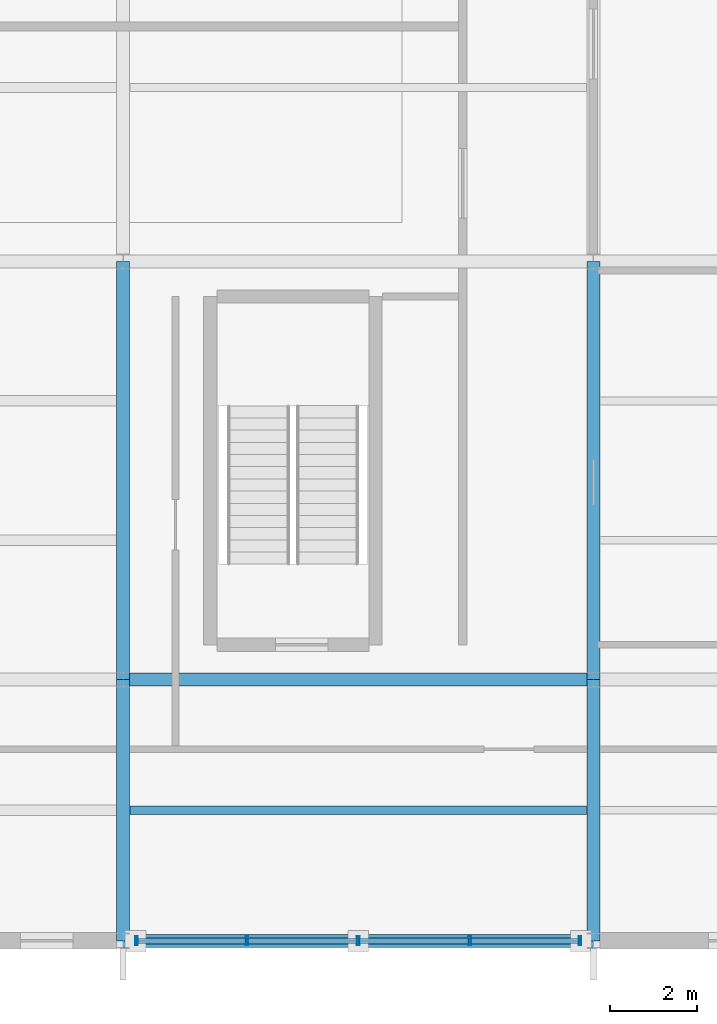
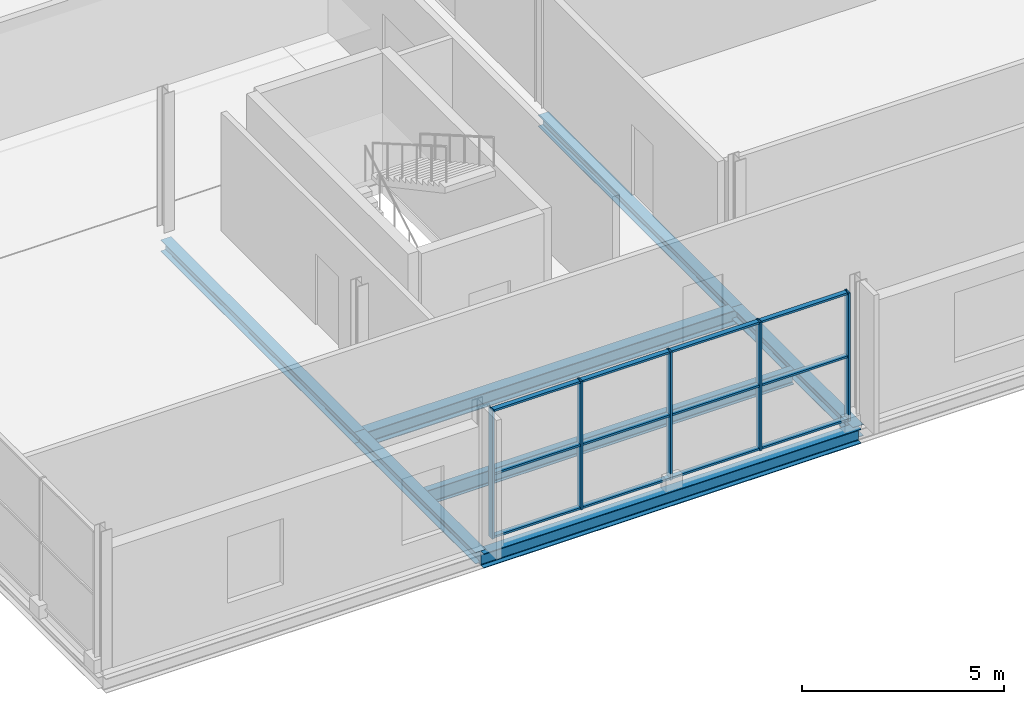
# One storey, part 77 of 117: 17 members, 7 beams, 1 element without a shape of its own.
"""IFC4 building model written with IfcOpenShell, lengths in metres."""

from ifc_helpers import new_model, si_unit, direction, frame, origin, origin_2d, place, context, subcontext, project, spatial, hollow_rectangle, i_section, extrude, material, material_profile, profile_set, type_object, element, aggregate, save


model = new_model("IFC4")

# Units and contexts
model_context = context("Model", 3, precision=1e-05, world=origin(), true_north=direction((0.0, 1.0)))
body_context = subcontext(model_context, "Body", "Model", "MODEL_VIEW")
ifc_project = project(units=[si_unit("LENGTHUNIT", "METRE"), si_unit("AREAUNIT", "SQUARE_METRE"), si_unit("VOLUMEUNIT", "CUBIC_METRE"), si_unit("PLANEANGLEUNIT", "RADIAN"), si_unit("MASSUNIT", "GRAM", prefix="KILO")], contexts=[model_context])

# Site, building, storey
site_placement = place(None, origin())
site = spatial("IfcSite", under=ifc_project, at=site_placement, CompositionType="ELEMENT")
building_placement = place(site_placement, origin())
building = spatial("IfcBuilding", under=site, at=building_placement, Name="Merenkruunu Market Hall", CompositionType="ELEMENT")
storey_placement = place(building_placement, frame((0.0, 0.0, 10.199951171875)))
storey = spatial("IfcBuildingStorey", under=building, at=storey_placement, Name="L02", CompositionType="ELEMENT", Elevation=10.199951171875)

# Curtain wall, members
ifc_material_1 = material(Name="Powder-coated aluminium", Category="aluminium")
curtain_wall_type = type_object("IfcCurtainWallType", Name="Glazed Curtain Wall CW07", PredefinedType="USERDEFINED", material=ifc_material_1)
curtain_wall_placement = place(storey_placement, origin())
curtain_wall = element("IfcCurtainWall", 1, at=curtain_wall_placement, inside=storey, type_object=curtain_wall_type, Name="CW-L02-CWM03-215", ObjectType="GLAZED_FACADE", PredefinedType="USERDEFINED")
ifc_material_profile_1 = material_profile(ifc_material_1, hollow_rectangle(XDim=0.06005859375, YDim=0.199951171875, WallThickness=0.0048828125, at=origin_2d()), Name="ALU 60x200x5")
ifc_profile_set_1 = profile_set([ifc_material_profile_1], Name="Powder-coated aluminium")
member_type_1 = type_object("IfcMemberType", Name="Curtain Wall Mullion CWM03", PredefinedType="MULLION", material=ifc_profile_set_1)
member_1_placement = place(storey_placement, frame((170.090087890625, 0.0, 0.0), z_axis=(0.0, 0.0, 1.0), x_axis=(-1.0, 0.0, 0.0)))
member_1 = element("IfcMember", 2, at=member_1_placement, type_object=member_type_1, Name="CW07 mullion 1", PredefinedType="MULLION", context=body_context, shape_type="SweptSolid", body=[
    extrude(hollow_rectangle(XDim=0.06005859375, YDim=0.199951171875, WallThickness=0.0048828125, at=origin_2d()), origin(), (0.0, 0.0, 1.0), 3.880126953125),
])
member_2_placement = place(storey_placement, frame((167.56005859375, 0.0, 0.0), z_axis=(0.0, 0.0, 1.0), x_axis=(-1.0, 0.0, 0.0)))
member_2 = element("IfcMember", 3, at=member_2_placement, type_object=member_type_1, Name="CW07 mullion 2", PredefinedType="MULLION", context=body_context, shape_type="SweptSolid", body=[
    extrude(hollow_rectangle(XDim=0.06005859375, YDim=0.199951171875, WallThickness=0.0048828125, at=origin_2d()), origin(), (0.0, 0.0, 1.0), 3.880126953125),
])
member_3_placement = place(storey_placement, frame((165.0, 0.0, 0.0), z_axis=(0.0, 0.0, 1.0), x_axis=(-1.0, 0.0, 0.0)))
member_3 = element("IfcMember", 4, at=member_3_placement, type_object=member_type_1, Name="CW07 mullion 3", PredefinedType="MULLION", context=body_context, shape_type="SweptSolid", body=[
    extrude(hollow_rectangle(XDim=0.06005859375, YDim=0.199951171875, WallThickness=0.0048828125, at=origin_2d()), origin(), (0.0, 0.0, 1.0), 3.880126953125),
])
member_4_placement = place(storey_placement, frame((162.43994140625, 0.0, 0.0), z_axis=(0.0, 0.0, 1.0), x_axis=(-1.0, 0.0, 0.0)))
member_4 = element("IfcMember", 5, at=member_4_placement, type_object=member_type_1, Name="CW07 mullion 4", PredefinedType="MULLION", context=body_context, shape_type="SweptSolid", body=[
    extrude(hollow_rectangle(XDim=0.06005859375, YDim=0.199951171875, WallThickness=0.0048828125, at=origin_2d()), origin(), (0.0, 0.0, 1.0), 3.880126953125),
])
member_5_placement = place(storey_placement, frame((159.909912109375, 0.0, 0.0), z_axis=(0.0, 0.0, 1.0), x_axis=(-1.0, 0.0, 0.0)))
member_5 = element("IfcMember", 6, at=member_5_placement, type_object=member_type_1, Name="CW07 mullion 5", PredefinedType="MULLION", context=body_context, shape_type="SweptSolid", body=[
    extrude(hollow_rectangle(XDim=0.06005859375, YDim=0.199951171875, WallThickness=0.0048828125, at=origin_2d()), origin(), (0.0, 0.0, 1.0), 3.880126953125),
])
ifc_material_profile_2 = material_profile(ifc_material_1, hollow_rectangle(XDim=0.06005859375, YDim=0.139892578125, WallThickness=0.00390625, at=origin_2d()), Name="ALU 60x140x4")
ifc_profile_set_2 = profile_set([ifc_material_profile_2], Name="Powder-coated aluminium")
member_type_2 = type_object("IfcMemberType", Name="Curtain Wall Transom CWT02", PredefinedType="USERDEFINED", material=ifc_profile_set_2)
member_6_placement = place(storey_placement, frame((170.06005859375, 0.0, 0.030029296875), z_axis=(-1.0, 0.0, 0.0), x_axis=(0.0, 0.0, 1.0)))
member_6 = element("IfcMember", 7, at=member_6_placement, type_object=member_type_2, Name="CW07 transom 1.1", ObjectType="TRANSOM", PredefinedType="USERDEFINED", context=body_context, shape_type="SweptSolid", body=[
    extrude(hollow_rectangle(XDim=0.06005859375, YDim=0.139892578125, WallThickness=0.00390625, at=origin_2d()), origin(), (0.0, 0.0, 1.0), 2.469970703125),
])
member_7_placement = place(storey_placement, frame((170.06005859375, 0.0, 1.93994140625), z_axis=(-1.0, 0.0, 0.0), x_axis=(0.0, 0.0, 1.0)))
member_7 = element("IfcMember", 8, at=member_7_placement, type_object=member_type_2, Name="CW07 transom 1.2", ObjectType="TRANSOM", PredefinedType="USERDEFINED", context=body_context, shape_type="SweptSolid", body=[
    extrude(hollow_rectangle(XDim=0.06005859375, YDim=0.139892578125, WallThickness=0.00390625, at=origin_2d()), origin(), (0.0, 0.0, 1.0), 2.469970703125),
])
member_8_placement = place(storey_placement, frame((170.06005859375, 0.0, 3.85009765625), z_axis=(-1.0, 0.0, 0.0), x_axis=(0.0, 0.0, 1.0)))
member_8 = element("IfcMember", 9, at=member_8_placement, type_object=member_type_2, Name="CW07 transom 1.3", ObjectType="TRANSOM", PredefinedType="USERDEFINED", context=body_context, shape_type="SweptSolid", body=[
    extrude(hollow_rectangle(XDim=0.06005859375, YDim=0.139892578125, WallThickness=0.00390625, at=origin_2d()), origin(), (0.0, 0.0, 1.0), 2.469970703125),
])
member_9_placement = place(storey_placement, frame((167.530029296875, 0.0, 0.030029296875), z_axis=(-1.0, 0.0, 0.0), x_axis=(0.0, 0.0, 1.0)))
member_9 = element("IfcMember", 10, at=member_9_placement, type_object=member_type_2, Name="CW07 transom 2.1", ObjectType="TRANSOM", PredefinedType="USERDEFINED", context=body_context, shape_type="SweptSolid", body=[
    extrude(hollow_rectangle(XDim=0.06005859375, YDim=0.139892578125, WallThickness=0.00390625, at=origin_2d()), origin(), (0.0, 0.0, 1.0), 2.5),
])
member_10_placement = place(storey_placement, frame((167.530029296875, 0.0, 1.93994140625), z_axis=(-1.0, 0.0, 0.0), x_axis=(0.0, 0.0, 1.0)))
member_10 = element("IfcMember", 11, at=member_10_placement, type_object=member_type_2, Name="CW07 transom 2.2", ObjectType="TRANSOM", PredefinedType="USERDEFINED", context=body_context, shape_type="SweptSolid", body=[
    extrude(hollow_rectangle(XDim=0.06005859375, YDim=0.139892578125, WallThickness=0.00390625, at=origin_2d()), origin(), (0.0, 0.0, 1.0), 2.5),
])
member_11_placement = place(storey_placement, frame((167.530029296875, 0.0, 3.85009765625), z_axis=(-1.0, 0.0, 0.0), x_axis=(0.0, 0.0, 1.0)))
member_11 = element("IfcMember", 12, at=member_11_placement, type_object=member_type_2, Name="CW07 transom 2.3", ObjectType="TRANSOM", PredefinedType="USERDEFINED", context=body_context, shape_type="SweptSolid", body=[
    extrude(hollow_rectangle(XDim=0.06005859375, YDim=0.139892578125, WallThickness=0.00390625, at=origin_2d()), origin(), (0.0, 0.0, 1.0), 2.5),
])
member_12_placement = place(storey_placement, frame((164.969970703125, 0.0, 0.030029296875), z_axis=(-1.0, 0.0, 0.0), x_axis=(0.0, 0.0, 1.0)))
member_12 = element("IfcMember", 13, at=member_12_placement, type_object=member_type_2, Name="CW07 transom 3.1", ObjectType="TRANSOM", PredefinedType="USERDEFINED", context=body_context, shape_type="SweptSolid", body=[
    extrude(hollow_rectangle(XDim=0.06005859375, YDim=0.139892578125, WallThickness=0.00390625, at=origin_2d()), origin(), (0.0, 0.0, 1.0), 2.5),
])
member_13_placement = place(storey_placement, frame((164.969970703125, 0.0, 1.93994140625), z_axis=(-1.0, 0.0, 0.0), x_axis=(0.0, 0.0, 1.0)))
member_13 = element("IfcMember", 14, at=member_13_placement, type_object=member_type_2, Name="CW07 transom 3.2", ObjectType="TRANSOM", PredefinedType="USERDEFINED", context=body_context, shape_type="SweptSolid", body=[
    extrude(hollow_rectangle(XDim=0.06005859375, YDim=0.139892578125, WallThickness=0.00390625, at=origin_2d()), origin(), (0.0, 0.0, 1.0), 2.5),
])
member_14_placement = place(storey_placement, frame((164.969970703125, 0.0, 3.85009765625), z_axis=(-1.0, 0.0, 0.0), x_axis=(0.0, 0.0, 1.0)))
member_14 = element("IfcMember", 15, at=member_14_placement, type_object=member_type_2, Name="CW07 transom 3.3", ObjectType="TRANSOM", PredefinedType="USERDEFINED", context=body_context, shape_type="SweptSolid", body=[
    extrude(hollow_rectangle(XDim=0.06005859375, YDim=0.139892578125, WallThickness=0.00390625, at=origin_2d()), origin(), (0.0, 0.0, 1.0), 2.5),
])
member_15_placement = place(storey_placement, frame((162.409912109375, 0.0, 0.030029296875), z_axis=(-1.0, 0.0, 0.0), x_axis=(0.0, 0.0, 1.0)))
member_15 = element("IfcMember", 16, at=member_15_placement, type_object=member_type_2, Name="CW07 transom 4.1", ObjectType="TRANSOM", PredefinedType="USERDEFINED", context=body_context, shape_type="SweptSolid", body=[
    extrude(hollow_rectangle(XDim=0.06005859375, YDim=0.139892578125, WallThickness=0.00390625, at=origin_2d()), origin(), (0.0, 0.0, 1.0), 2.469970703125),
])
member_16_placement = place(storey_placement, frame((162.409912109375, 0.0, 1.93994140625), z_axis=(-1.0, 0.0, 0.0), x_axis=(0.0, 0.0, 1.0)))
member_16 = element("IfcMember", 17, at=member_16_placement, type_object=member_type_2, Name="CW07 transom 4.2", ObjectType="TRANSOM", PredefinedType="USERDEFINED", context=body_context, shape_type="SweptSolid", body=[
    extrude(hollow_rectangle(XDim=0.06005859375, YDim=0.139892578125, WallThickness=0.00390625, at=origin_2d()), origin(), (0.0, 0.0, 1.0), 2.469970703125),
])
member_17_placement = place(storey_placement, frame((162.409912109375, 0.0, 3.85009765625), z_axis=(-1.0, 0.0, 0.0), x_axis=(0.0, 0.0, 1.0)))
member_17 = element("IfcMember", 18, at=member_17_placement, type_object=member_type_2, Name="CW07 transom 4.3", ObjectType="TRANSOM", PredefinedType="USERDEFINED", context=body_context, shape_type="SweptSolid", body=[
    extrude(hollow_rectangle(XDim=0.06005859375, YDim=0.139892578125, WallThickness=0.00390625, at=origin_2d()), origin(), (0.0, 0.0, 1.0), 2.469970703125),
])
aggregate(curtain_wall, [member_1, member_2, member_3, member_4, member_5, member_6, member_7, member_8, member_9, member_10, member_11, member_12, member_13, member_14, member_15, member_16, member_17])

# Beams
ifc_material_2 = material(Name="Steel S355J2", Category="steel")
ifc_material_profile_3 = material_profile(ifc_material_2, i_section(OverallWidth=0.300048828125, OverallDepth=0.43994140625, WebThickness=0.011474609375, FlangeThickness=0.02099609375, FilletRadius=0.027099609375, at=origin_2d()), Name="HEA 450")
ifc_profile_set_3 = profile_set([ifc_material_profile_3], Name="Steel S355J2")
beam_type_1 = type_object("IfcBeamType", Name="Primary Floor Girder B07", PredefinedType="BEAM", material=ifc_profile_set_3)
for number, where, z_axis, x_axis, name in (
    (19, (159.60009765625, 0.0, -0.530029296875), (1.0, 0.0, 0.0), (0.0, 1.0, 0.0), "BM-L02-B07-0737"),
    (20, (159.60009765625, 6.0, -0.530029296875), (1.0, 0.0, 0.0), (0.0, 1.0, 0.0), "BM-L02-B07-0741"),
):
    element("IfcBeam", number, at=place(storey_placement, frame(where, z_axis=z_axis, x_axis=x_axis)), inside=storey, type_object=beam_type_1, Name=name, PredefinedType="BEAM", context=body_context, shape_type="SweptSolid", body=[
        extrude(i_section(OverallWidth=0.300048828125, OverallDepth=0.43994140625, WebThickness=0.011474609375, FlangeThickness=0.02099609375, FilletRadius=0.027099609375, at=origin_2d()), origin(), (0.0, 0.0, 1.0), 10.7998046875),
    ])
ifc_material_profile_4 = material_profile(ifc_material_2, i_section(OverallWidth=0.300048828125, OverallDepth=0.35009765625, WebThickness=0.010009765625, FlangeThickness=0.017578125, FilletRadius=0.027099609375, at=origin_2d()), Name="HEA 360")
ifc_profile_set_4 = profile_set([ifc_material_profile_4], Name="Steel S355J2")
beam_type_2 = type_object("IfcBeamType", Name="Primary Floor Girder B08", PredefinedType="BEAM", material=ifc_profile_set_4)
beam_1_placement = place(storey_placement, frame((159.60009765625, 0.0, -0.48486328125), z_axis=(0.0, 1.0, 0.0), x_axis=(-1.0, 0.0, 0.0)))
element("IfcBeam", 21, at=beam_1_placement, inside=storey, type_object=beam_type_2, Name="BM-L02-B08-0800", PredefinedType="BEAM", context=body_context, shape_type="SweptSolid", body=[
    extrude(i_section(OverallWidth=0.300048828125, OverallDepth=0.35009765625, WebThickness=0.010009765625, FlangeThickness=0.017578125, FilletRadius=0.027099609375, at=origin_2d()), origin(), (0.0, 0.0, 1.0), 6.0),
])
beam_2_placement = place(storey_placement, frame((159.60009765625, 6.0, -0.48486328125), z_axis=(0.0, 1.0, 0.0), x_axis=(-1.0, 0.0, 0.0)))
element("IfcBeam", 22, at=beam_2_placement, inside=storey, type_object=beam_type_2, Name="BM-L02-B08-0801", PredefinedType="BEAM", context=body_context, shape_type="SweptSolid", body=[
    extrude(i_section(OverallWidth=0.300048828125, OverallDepth=0.35009765625, WebThickness=0.010009765625, FlangeThickness=0.017578125, FilletRadius=0.027099609375, at=origin_2d()), origin(), (0.0, 0.0, 1.0), 9.60009765625),
])
beam_3_placement = place(storey_placement, frame((170.39990234375, 0.0, -0.48486328125), z_axis=(0.0, 1.0, 0.0), x_axis=(-1.0, 0.0, 0.0)))
element("IfcBeam", 23, at=beam_3_placement, inside=storey, type_object=beam_type_2, Name="BM-L02-B08-0804", PredefinedType="BEAM", context=body_context, shape_type="SweptSolid", body=[
    extrude(i_section(OverallWidth=0.300048828125, OverallDepth=0.35009765625, WebThickness=0.010009765625, FlangeThickness=0.017578125, FilletRadius=0.027099609375, at=origin_2d()), origin(), (0.0, 0.0, 1.0), 6.0),
])
beam_4_placement = place(storey_placement, frame((170.39990234375, 6.0, -0.48486328125), z_axis=(0.0, 1.0, 0.0), x_axis=(-1.0, 0.0, 0.0)))
element("IfcBeam", 24, at=beam_4_placement, inside=storey, type_object=beam_type_2, Name="BM-L02-B08-0805", PredefinedType="BEAM", context=body_context, shape_type="SweptSolid", body=[
    extrude(i_section(OverallWidth=0.300048828125, OverallDepth=0.35009765625, WebThickness=0.010009765625, FlangeThickness=0.017578125, FilletRadius=0.027099609375, at=origin_2d()), origin(), (0.0, 0.0, 1.0), 9.60009765625),
])
ifc_material_profile_5 = material_profile(ifc_material_2, i_section(OverallWidth=0.18994140625, OverallDepth=0.449951171875, WebThickness=0.009521484375, FlangeThickness=0.0146484375, FilletRadius=0.02099609375, at=origin_2d()), Name="IPE 450")
ifc_profile_set_5 = profile_set([ifc_material_profile_5], Name="Steel S355J2")
beam_type_3 = type_object("IfcBeamType", Name="Secondary Floor Joist J01", PredefinedType="JOIST", material=ifc_profile_set_5)
beam_5_placement = place(storey_placement, frame((159.7529296875, 3.0, -0.534912109375), z_axis=(1.0, 0.0, 0.0), x_axis=(0.0, 1.0, 0.0)))
element("IfcBeam", 25, at=beam_5_placement, inside=storey, type_object=beam_type_3, Name="BM-L02-J01-0842", PredefinedType="JOIST", context=body_context, shape_type="SweptSolid", body=[
    extrude(i_section(OverallWidth=0.18994140625, OverallDepth=0.449951171875, WebThickness=0.009521484375, FlangeThickness=0.0146484375, FilletRadius=0.02099609375, at=origin_2d()), origin(), (0.0, 0.0, 1.0), 10.494140625),
])

save(model, "model.ifc")
